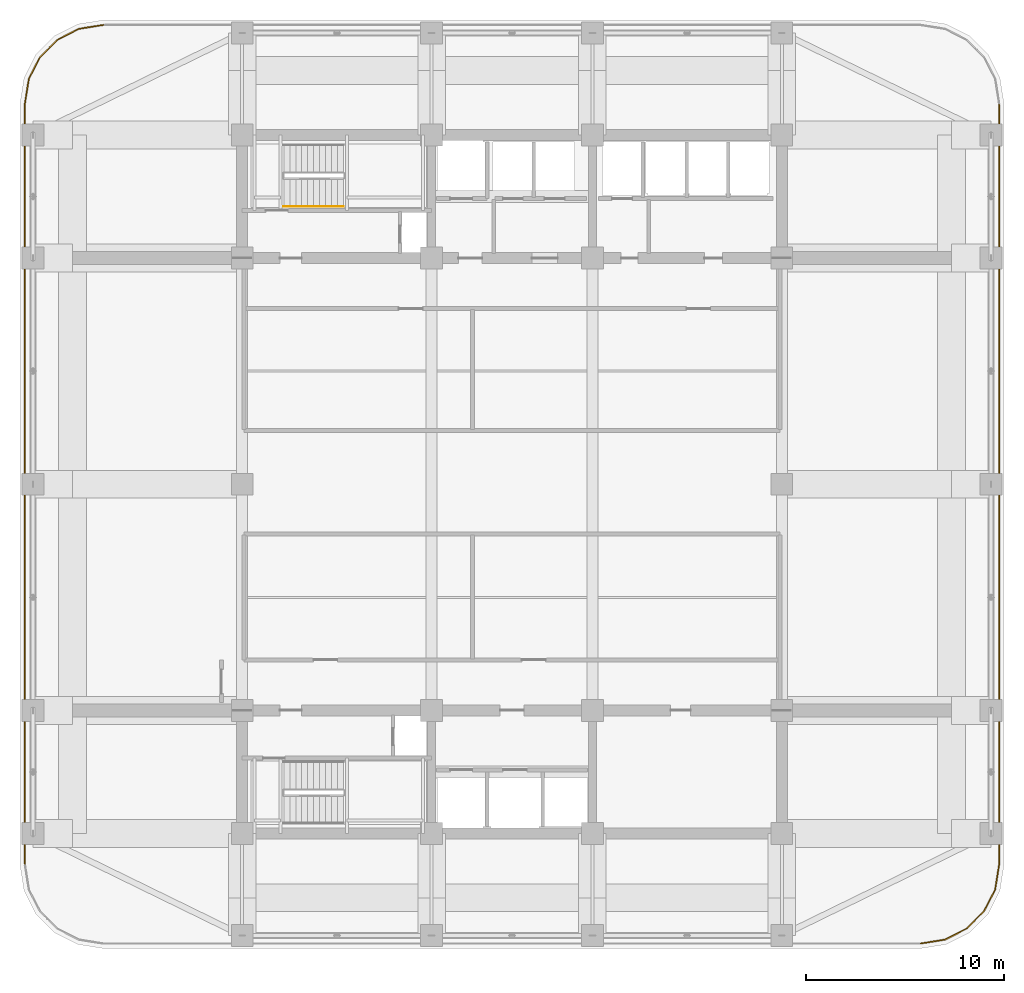
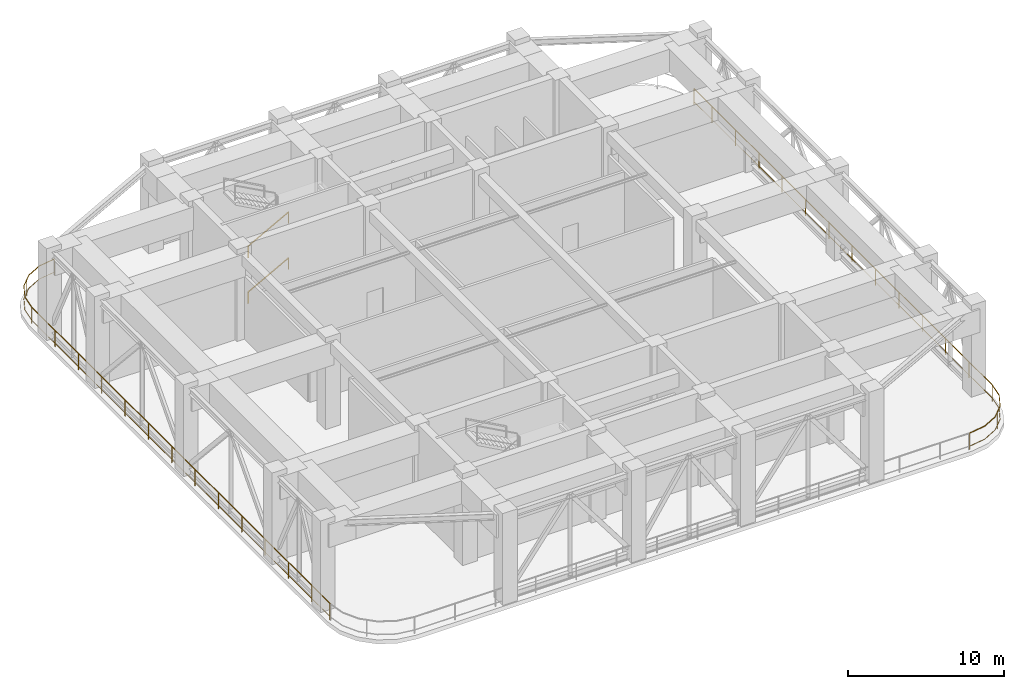
# One storey, part 19 of 20: 4 railings.
"""IFC4 building model written with IfcOpenShell, lengths in metres."""

from ifc_helpers import new_model, si_unit, direction, frame, origin, origin_2d, place, context, subcontext, project, spatial, rectangle, extrude, material, type_object, element, save


model = new_model("IFC4")

# Units and contexts
model_context = context("Model", 3, precision=1e-05, world=origin(), true_north=direction((0.0, 1.0)))
body_context = subcontext(model_context, "Body", "Model", "MODEL_VIEW")
ifc_project = project(units=[si_unit("LENGTHUNIT", "METRE"), si_unit("AREAUNIT", "SQUARE_METRE"), si_unit("VOLUMEUNIT", "CUBIC_METRE"), si_unit("PLANEANGLEUNIT", "RADIAN"), si_unit("MASSUNIT", "GRAM", prefix="KILO")], contexts=[model_context])

# Site, building, storey
site_placement = place(None, origin())
site = spatial("IfcSite", under=ifc_project, at=site_placement, CompositionType="ELEMENT")
building_placement = place(site_placement, origin())
building = spatial("IfcBuilding", under=site, at=building_placement, Name="Svetorya Sky Lyceum", CompositionType="ELEMENT")
storey_placement = place(building_placement, frame((0.0, 0.0, 136.39990234375)))
storey = spatial("IfcBuildingStorey", under=building, at=storey_placement, Name="L34", CompositionType="ELEMENT", Elevation=136.39990234375)

# Railings
ifc_material_1 = material(Name="Hot-dip galvanized wind-portal guard")
railing_type_1 = type_object("IfcRailingType", Name="RL-PRT-1300", PredefinedType="GUARDRAIL", material=ifc_material_1)
railing_1_placement = place(storey_placement, frame((59.800048828125, 5.050048828125, 0.0)))
element("IfcRailing", 1, at=railing_1_placement, inside=storey, type_object=railing_type_1, Name="L34 Wind-Portal Deck Guard Quadrant 2", PredefinedType="GUARDRAIL", context=body_context, shape_type="SweptSolid", body=[
    extrude(rectangle(XDim=0.048095703125, YDim=0.048095703125, at=origin_2d()), frame((0.0, 0.0, 1.27587890625), z_axis=(0.987681129562, 0.15647998692, 0.0), x_axis=(-0.15647998692, 0.987681129562, 0.0)), (0.0, 0.0, 1.0), 1.235595703125),
    extrude(rectangle(XDim=0.02392578125, YDim=0.02392578125, at=origin_2d()), frame((0.0, 0.0, 0.25), z_axis=(0.987681129562, 0.15647998692, 0.0), x_axis=(-0.15647998692, 0.987681129562, 0.0)), (0.0, 0.0, 1.0), 1.235595703125),
    extrude(rectangle(XDim=0.048095703125, YDim=0.048095703125, at=origin_2d()), frame((1.220458984375, 0.193359375, 1.27587890625), z_axis=(0.891044019054, 0.453916904408, 0.0), x_axis=(-0.453916904408, 0.891044019054, 0.0)), (0.0, 0.0, 1.0), 1.236083984375),
    extrude(rectangle(XDim=0.02392578125, YDim=0.02392578125, at=origin_2d()), frame((1.220458984375, 0.193359375, 0.25), z_axis=(0.891044019054, 0.453916904408, 0.0), x_axis=(-0.453916904408, 0.891044019054, 0.0)), (0.0, 0.0, 1.0), 1.236083984375),
    extrude(rectangle(XDim=0.048095703125, YDim=0.048095703125, at=origin_2d()), frame((2.32177734375, 0.75439453125, 1.27587890625), z_axis=(0.707106781187, 0.707106781187, 0.0), x_axis=(-0.707106781187, 0.707106781187, 0.0)), (0.0, 0.0, 1.0), 1.235595703125),
    extrude(rectangle(XDim=0.02392578125, YDim=0.02392578125, at=origin_2d()), frame((2.32177734375, 0.75439453125, 0.25), z_axis=(0.707106781187, 0.707106781187, 0.0), x_axis=(-0.707106781187, 0.707106781187, 0.0)), (0.0, 0.0, 1.0), 1.235595703125),
    extrude(rectangle(XDim=0.048095703125, YDim=0.048095703125, at=origin_2d()), frame((3.195556640625, 1.628173828125, 1.27587890625), z_axis=(0.453996808381, 0.891003309747, 0.0), x_axis=(-0.891003309747, 0.453996808381, 0.0)), (0.0, 0.0, 1.0), 1.23583984375),
    extrude(rectangle(XDim=0.02392578125, YDim=0.02392578125, at=origin_2d()), frame((3.195556640625, 1.628173828125, 0.25), z_axis=(0.453996808381, 0.891003309747, 0.0), x_axis=(-0.891003309747, 0.453996808381, 0.0)), (0.0, 0.0, 1.0), 1.23583984375),
    extrude(rectangle(XDim=0.048095703125, YDim=0.048095703125, at=origin_2d()), frame((3.756591796875, 2.729248046875, 1.27587890625), z_axis=(0.156449457012, 0.987685965983, 0.0), x_axis=(-0.987685965983, 0.156449457012, 0.0)), (0.0, 0.0, 1.0), 1.23583984375),
    extrude(rectangle(XDim=0.02392578125, YDim=0.02392578125, at=origin_2d()), frame((3.756591796875, 2.729248046875, 0.25), z_axis=(0.156449457012, 0.987685965983, 0.0), x_axis=(-0.987685965983, 0.156449457012, 0.0)), (0.0, 0.0, 1.0), 1.23583984375),
    extrude(rectangle(XDim=0.048095703125, YDim=0.048095703125, at=origin_2d()), frame((3.949951171875, 3.949951171875, 1.27587890625), z_axis=(0.0, 1.0, 0.0), x_axis=(-1.0, 0.0, 0.0)), (0.0, 0.0, 1.0), 38.340087890625),
    extrude(rectangle(XDim=0.02392578125, YDim=0.02392578125, at=origin_2d()), frame((3.949951171875, 3.949951171875, 0.25), z_axis=(0.0, 1.0, 0.0), x_axis=(-1.0, 0.0, 0.0)), (0.0, 0.0, 1.0), 38.340087890625),
    extrude(rectangle(XDim=0.0419921875, YDim=0.0419921875, at=origin_2d()), origin(), (0.0, 0.0, 1.0), 1.251953125),
    extrude(rectangle(XDim=0.0419921875, YDim=0.0419921875, at=origin_2d()), frame((2.6953125, 1.1279296875, 0.0)), (0.0, 0.0, 1.0), 1.251953125),
    extrude(rectangle(XDim=0.0419921875, YDim=0.0419921875, at=origin_2d()), frame((3.949951171875, 3.949951171875, 0.0)), (0.0, 0.0, 1.0), 1.251953125),
    extrude(rectangle(XDim=0.0419921875, YDim=0.0419921875, at=origin_2d()), frame((3.949951171875, 6.949951171875, 0.0)), (0.0, 0.0, 1.0), 1.251953125),
    extrude(rectangle(XDim=0.0419921875, YDim=0.0419921875, at=origin_2d()), frame((3.949951171875, 9.949951171875, 0.0)), (0.0, 0.0, 1.0), 1.251953125),
    extrude(rectangle(XDim=0.0419921875, YDim=0.0419921875, at=origin_2d()), frame((3.949951171875, 12.949951171875, 0.0)), (0.0, 0.0, 1.0), 1.251953125),
    extrude(rectangle(XDim=0.0419921875, YDim=0.0419921875, at=origin_2d()), frame((3.949951171875, 15.949951171875, 0.0)), (0.0, 0.0, 1.0), 1.251953125),
    extrude(rectangle(XDim=0.0419921875, YDim=0.0419921875, at=origin_2d()), frame((3.949951171875, 18.949951171875, 0.0)), (0.0, 0.0, 1.0), 1.251953125),
    extrude(rectangle(XDim=0.0419921875, YDim=0.0419921875, at=origin_2d()), frame((3.949951171875, 21.949951171875, 0.0)), (0.0, 0.0, 1.0), 1.251953125),
    extrude(rectangle(XDim=0.0419921875, YDim=0.0419921875, at=origin_2d()), frame((3.949951171875, 24.949951171875, 0.0)), (0.0, 0.0, 1.0), 1.251953125),
    extrude(rectangle(XDim=0.0419921875, YDim=0.0419921875, at=origin_2d()), frame((3.949951171875, 27.949951171875, 0.0)), (0.0, 0.0, 1.0), 1.251953125),
    extrude(rectangle(XDim=0.0419921875, YDim=0.0419921875, at=origin_2d()), frame((3.949951171875, 30.949951171875, 0.0)), (0.0, 0.0, 1.0), 1.251953125),
    extrude(rectangle(XDim=0.0419921875, YDim=0.0419921875, at=origin_2d()), frame((3.949951171875, 33.949951171875, 0.0)), (0.0, 0.0, 1.0), 1.251953125),
    extrude(rectangle(XDim=0.0419921875, YDim=0.0419921875, at=origin_2d()), frame((3.949951171875, 36.949951171875, 0.0)), (0.0, 0.0, 1.0), 1.251953125),
    extrude(rectangle(XDim=0.0419921875, YDim=0.0419921875, at=origin_2d()), frame((3.949951171875, 39.949951171875, 0.0)), (0.0, 0.0, 1.0), 1.251953125),
    extrude(rectangle(XDim=0.0419921875, YDim=0.0419921875, at=origin_2d()), frame((3.949951171875, 42.2900390625, 0.0)), (0.0, 0.0, 1.0), 1.251953125),
])
railing_2_placement = place(storey_placement, frame((18.60009765625, 51.35009765625, 0.0)))
element("IfcRailing", 2, at=railing_2_placement, inside=storey, type_object=railing_type_1, Name="L34 Wind-Portal Deck Guard Quadrant 4", PredefinedType="GUARDRAIL", context=body_context, shape_type="SweptSolid", body=[
    extrude(rectangle(XDim=0.048095703125, YDim=0.048095703125, at=origin_2d()), frame((0.0, 0.0, 1.27587890625), z_axis=(-0.987685965983, -0.156449457012, 0.0), x_axis=(0.156449457012, -0.987685965983, 0.0)), (0.0, 0.0, 1.0), 1.23583984375),
    extrude(rectangle(XDim=0.02392578125, YDim=0.02392578125, at=origin_2d()), frame((0.0, 0.0, 0.25), z_axis=(-0.987685965983, -0.156449457012, 0.0), x_axis=(0.156449457012, -0.987685965983, 0.0)), (0.0, 0.0, 1.0), 1.23583984375),
    extrude(rectangle(XDim=0.048095703125, YDim=0.048095703125, at=origin_2d()), frame((-1.220703125, -0.193359375, 1.27587890625), z_axis=(-0.891003309747, -0.453996808381, 0.0), x_axis=(0.453996808381, -0.891003309747, 0.0)), (0.0, 0.0, 1.0), 1.23583984375),
    extrude(rectangle(XDim=0.02392578125, YDim=0.02392578125, at=origin_2d()), frame((-1.220703125, -0.193359375, 0.25), z_axis=(-0.891003309747, -0.453996808381, 0.0), x_axis=(0.453996808381, -0.891003309747, 0.0)), (0.0, 0.0, 1.0), 1.23583984375),
    extrude(rectangle(XDim=0.048095703125, YDim=0.048095703125, at=origin_2d()), frame((-2.32177734375, -0.75439453125, 1.27587890625), z_axis=(-0.707106781187, -0.707106781187, 0.0), x_axis=(0.707106781187, -0.707106781187, 0.0)), (0.0, 0.0, 1.0), 1.236083984375),
    extrude(rectangle(XDim=0.02392578125, YDim=0.02392578125, at=origin_2d()), frame((-2.32177734375, -0.75439453125, 0.25), z_axis=(-0.707106781187, -0.707106781187, 0.0), x_axis=(0.707106781187, -0.707106781187, 0.0)), (0.0, 0.0, 1.0), 1.236083984375),
    extrude(rectangle(XDim=0.048095703125, YDim=0.048095703125, at=origin_2d()), frame((-3.19580078125, -1.62841796875, 1.27587890625), z_axis=(-0.453996808381, -0.891003309747, 0.0), x_axis=(0.891003309747, -0.453996808381, 0.0)), (0.0, 0.0, 1.0), 1.23583984375),
    extrude(rectangle(XDim=0.02392578125, YDim=0.02392578125, at=origin_2d()), frame((-3.19580078125, -1.62841796875, 0.25), z_axis=(-0.453996808381, -0.891003309747, 0.0), x_axis=(0.891003309747, -0.453996808381, 0.0)), (0.0, 0.0, 1.0), 1.23583984375),
    extrude(rectangle(XDim=0.048095703125, YDim=0.048095703125, at=origin_2d()), frame((-3.7568359375, -2.7294921875, 1.27587890625), z_axis=(-0.156449457012, -0.987685965983, 0.0), x_axis=(0.987685965983, -0.156449457012, 0.0)), (0.0, 0.0, 1.0), 1.23583984375),
    extrude(rectangle(XDim=0.02392578125, YDim=0.02392578125, at=origin_2d()), frame((-3.7568359375, -2.7294921875, 0.25), z_axis=(-0.156449457012, -0.987685965983, 0.0), x_axis=(0.987685965983, -0.156449457012, 0.0)), (0.0, 0.0, 1.0), 1.23583984375),
    extrude(rectangle(XDim=0.048095703125, YDim=0.048095703125, at=origin_2d()), frame((-3.9501953125, -3.9501953125, 1.27587890625), z_axis=(0.0, -1.0, 0.0), x_axis=(1.0, 0.0, 0.0)), (0.0, 0.0, 1.0), 38.33984375),
    extrude(rectangle(XDim=0.02392578125, YDim=0.02392578125, at=origin_2d()), frame((-3.9501953125, -3.9501953125, 0.25), z_axis=(0.0, -1.0, 0.0), x_axis=(1.0, 0.0, 0.0)), (0.0, 0.0, 1.0), 38.33984375),
    extrude(rectangle(XDim=0.0419921875, YDim=0.0419921875, at=origin_2d()), origin(), (0.0, 0.0, 1.0), 1.251953125),
    extrude(rectangle(XDim=0.0419921875, YDim=0.0419921875, at=origin_2d()), frame((-2.6953125, -1.1279296875, 0.0)), (0.0, 0.0, 1.0), 1.251953125),
    extrude(rectangle(XDim=0.0419921875, YDim=0.0419921875, at=origin_2d()), frame((-3.9501953125, -3.9501953125, 0.0)), (0.0, 0.0, 1.0), 1.251953125),
    extrude(rectangle(XDim=0.0419921875, YDim=0.0419921875, at=origin_2d()), frame((-3.9501953125, -6.9501953125, 0.0)), (0.0, 0.0, 1.0), 1.251953125),
    extrude(rectangle(XDim=0.0419921875, YDim=0.0419921875, at=origin_2d()), frame((-3.9501953125, -9.9501953125, 0.0)), (0.0, 0.0, 1.0), 1.251953125),
    extrude(rectangle(XDim=0.0419921875, YDim=0.0419921875, at=origin_2d()), frame((-3.9501953125, -12.9501953125, 0.0)), (0.0, 0.0, 1.0), 1.251953125),
    extrude(rectangle(XDim=0.0419921875, YDim=0.0419921875, at=origin_2d()), frame((-3.9501953125, -15.9501953125, 0.0)), (0.0, 0.0, 1.0), 1.251953125),
    extrude(rectangle(XDim=0.0419921875, YDim=0.0419921875, at=origin_2d()), frame((-3.9501953125, -18.9501953125, 0.0)), (0.0, 0.0, 1.0), 1.251953125),
    extrude(rectangle(XDim=0.0419921875, YDim=0.0419921875, at=origin_2d()), frame((-3.9501953125, -21.9501953125, 0.0)), (0.0, 0.0, 1.0), 1.251953125),
    extrude(rectangle(XDim=0.0419921875, YDim=0.0419921875, at=origin_2d()), frame((-3.9501953125, -24.9501953125, 0.0)), (0.0, 0.0, 1.0), 1.251953125),
    extrude(rectangle(XDim=0.0419921875, YDim=0.0419921875, at=origin_2d()), frame((-3.9501953125, -27.9501953125, 0.0)), (0.0, 0.0, 1.0), 1.251953125),
    extrude(rectangle(XDim=0.0419921875, YDim=0.0419921875, at=origin_2d()), frame((-3.9501953125, -30.9501953125, 0.0)), (0.0, 0.0, 1.0), 1.251953125),
    extrude(rectangle(XDim=0.0419921875, YDim=0.0419921875, at=origin_2d()), frame((-3.9501953125, -33.9501953125, 0.0)), (0.0, 0.0, 1.0), 1.251953125),
    extrude(rectangle(XDim=0.0419921875, YDim=0.0419921875, at=origin_2d()), frame((-3.9501953125, -36.9501953125, 0.0)), (0.0, 0.0, 1.0), 1.251953125),
    extrude(rectangle(XDim=0.0419921875, YDim=0.0419921875, at=origin_2d()), frame((-3.9501953125, -39.9501953125, 0.0)), (0.0, 0.0, 1.0), 1.251953125),
    extrude(rectangle(XDim=0.0419921875, YDim=0.0419921875, at=origin_2d()), frame((-3.9501953125, -42.2900390625, 0.0)), (0.0, 0.0, 1.0), 1.251953125),
])
ifc_material_2 = material(Name="Brushed stainless AISI 304 stair handrail")
railing_type_2 = type_object("IfcRailingType", Name="RL-STR-HAND-920", PredefinedType="HANDRAIL", material=ifc_material_2)
railing_3_placement = place(storey_placement, frame((27.699951171875, 42.199951171875, 0.163818359375)))
element("IfcRailing", 3, at=railing_3_placement, inside=storey, type_object=railing_type_2, Name="L34 ST-N stair handrail 1", PredefinedType="HANDRAIL", context=body_context, shape_type="SweptSolid", body=[
    extrude(rectangle(XDim=0.048095703125, YDim=0.048095703125, at=origin_2d()), frame((0.0, 0.0, 0.8759765625), z_axis=(0.877911954615, 0.0, 0.47882209634), x_axis=(0.0, 1.0, 0.0)), (0.0, 0.0, 1.0), 3.417236328125),
    extrude(rectangle(XDim=0.0419921875, YDim=0.0419921875, at=origin_2d()), origin(), (0.0, 0.0, 1.0), 0.851806640625),
    extrude(rectangle(XDim=0.0419921875, YDim=0.0419921875, at=origin_2d()), frame((3.0, 0.0, 1.63623046875)), (0.0, 0.0, 1.0), 0.851806640625),
])
railing_4_placement = place(storey_placement, frame((27.699951171875, 42.199951171875, 3.763671875)))
element("IfcRailing", 4, at=railing_4_placement, inside=storey, type_object=railing_type_2, Name="L34 ST-N stair handrail 3", PredefinedType="HANDRAIL", context=body_context, shape_type="SweptSolid", body=[
    extrude(rectangle(XDim=0.048095703125, YDim=0.048095703125, at=origin_2d()), frame((0.0, 0.0, 0.8759765625), z_axis=(0.877881921179, 0.0, 0.478877158013), x_axis=(0.0, 1.0, 0.0)), (0.0, 0.0, 1.0), 3.417236328125),
    extrude(rectangle(XDim=0.0419921875, YDim=0.0419921875, at=origin_2d()), origin(), (0.0, 0.0, 1.0), 0.851806640625),
    extrude(rectangle(XDim=0.0419921875, YDim=0.0419921875, at=origin_2d()), frame((3.0, 0.0, 1.636474609375)), (0.0, 0.0, 1.0), 0.851806640625),
])

save(model, "model.ifc")
